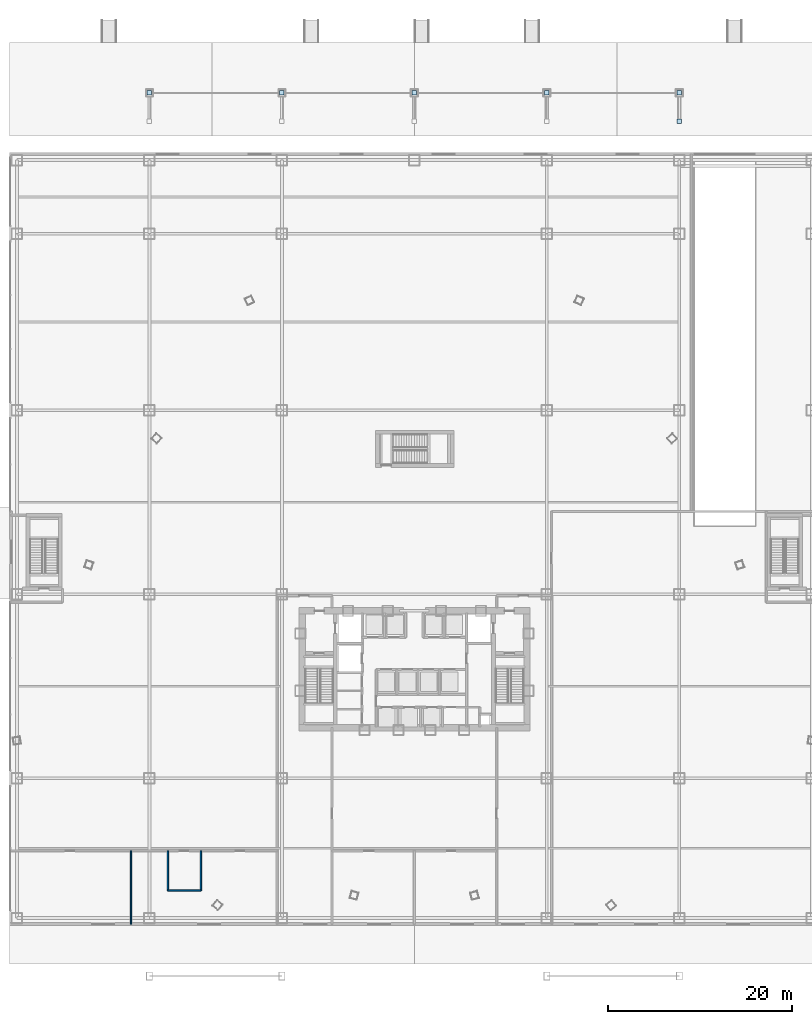
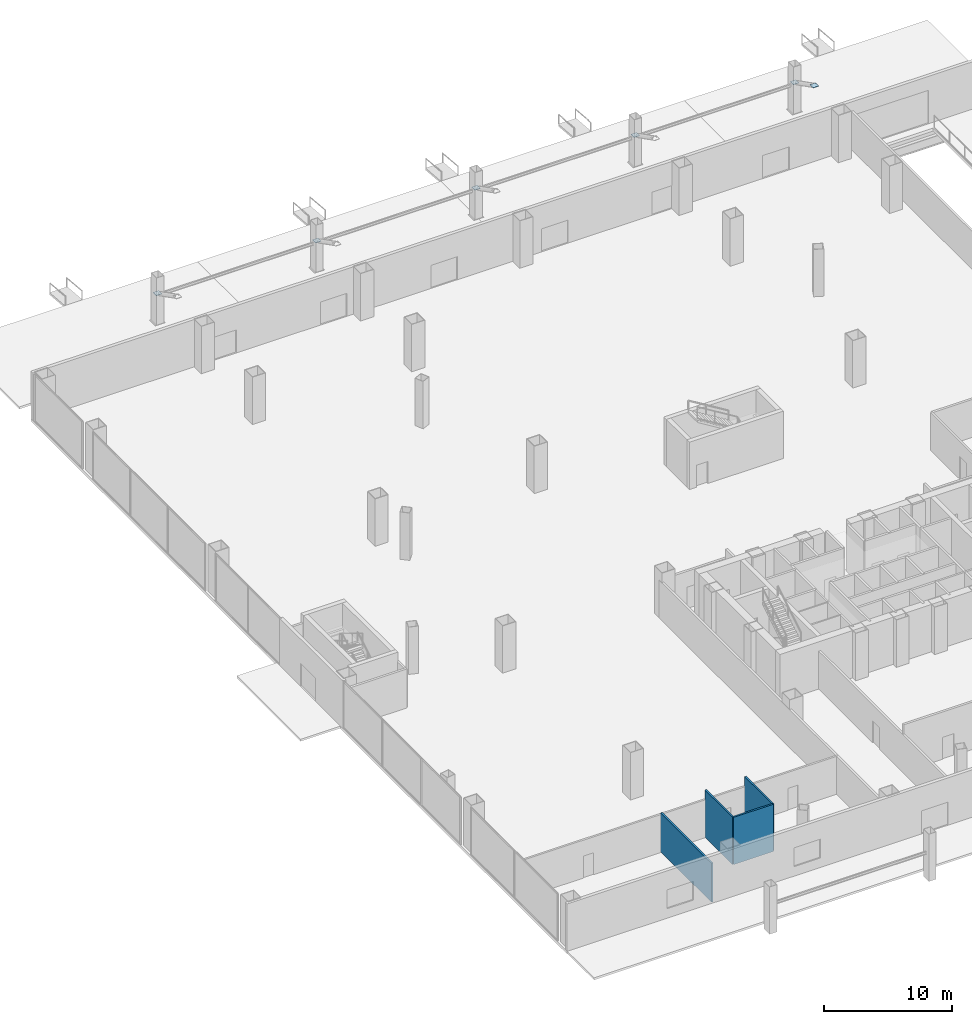
# One storey, part 47 of 58: 6 plates, 4 walls.
"""IFC4 building model written with IfcOpenShell, lengths in metres."""

from ifc_helpers import new_model, si_unit, direction, frame, frame_2d, origin, origin_2d, place, context, subcontext, project, spatial, rectangle, extrude, source, transform, mapped, material, layer, layer_set, type_object, element, save


model = new_model("IFC4")

# Units and contexts
model_context = context("Model", 3, precision=1e-05, world=origin(), true_north=direction((0.0, 1.0)))
body_context = subcontext(model_context, "Body", "Model", "MODEL_VIEW")
ifc_project = project(units=[si_unit("LENGTHUNIT", "METRE"), si_unit("AREAUNIT", "SQUARE_METRE"), si_unit("VOLUMEUNIT", "CUBIC_METRE"), si_unit("PLANEANGLEUNIT", "RADIAN"), si_unit("MASSUNIT", "GRAM", prefix="KILO"), si_unit("THERMODYNAMICTEMPERATUREUNIT", "KELVIN"), si_unit("POWERUNIT", "WATT")], contexts=[model_context])

# Site, building, storey
site_placement = place(None, origin())
site = spatial("IfcSite", under=ifc_project, at=site_placement, CompositionType="ELEMENT")
building_placement = place(site_placement, origin())
building = spatial("IfcBuilding", under=site, at=building_placement, Name="Yunzhuo Pagoda Commons", CompositionType="ELEMENT")
storey_placement = place(building_placement, origin())
storey = spatial("IfcBuildingStorey", under=building, at=storey_placement, Name="L01", CompositionType="ELEMENT", Elevation=0.0)

# Plates
ifc_material_1 = material(Name="Structural steel Q355B", Category="steel")
ifc_layer_1 = layer(ifc_material_1, 0.028076171875)
ifc_layer_set_1 = layer_set([ifc_layer_1], Name="Structural steel Q355B")
plate_type = type_object("IfcPlateType", Name="SP-ND1 Lattice Node Cap Plate 800x500x28", PredefinedType="USERDEFINED", material=ifc_layer_set_1)
shared_shape = source(origin(), body_context, "Body", "SweptSolid", [
    extrude(rectangle(XDim=0.5, YDim=0.5, at=origin_2d()), origin(), (0.0, 0.0, 1.0), 0.028076171875),
])
for number, where, z_axis, x_axis, name in (
    (1, (19.199951171875, 96.5, 2.68603515625), (0.0, 0.0, 1.0), (1.0, 0.0, 0.0), "Canopy strut pilaster gusset plate N1A"),
    (2, (33.60009765625, 96.5, 2.68603515625), (0.0, 0.0, 1.0), (1.0, 0.0, 0.0), "Canopy strut pilaster gusset plate N2A"),
    (3, (48.0, 96.5, 2.68603515625), (0.0, 0.0, 1.0), (1.0, 0.0, 0.0), "Canopy strut pilaster gusset plate N3A"),
    (4, (62.39990234375, 96.5, 2.68603515625), (0.0, 0.0, 1.0), (1.0, 0.0, 0.0), "Canopy strut pilaster gusset plate N4A"),
    (5, (76.800048828125, 96.5, 2.68603515625), (0.0, 0.0, 1.0), (1.0, 0.0, 0.0), "Canopy strut pilaster gusset plate N5A"),
    (6, (76.800048828125, 93.39990234375, 4.26611328125), (0.0, 0.0, 1.0), (1.0, 0.0, 0.0), "Canopy strut girder gusset plate N5B"),
):
    element("IfcPlate", number, at=place(storey_placement, frame(where, z_axis=z_axis, x_axis=x_axis)), inside=storey, type_object=plate_type, Name=name, ObjectType="STIFFENER_PLATE", PredefinedType="USERDEFINED", context=body_context, shape_type="MappedRepresentation", body=[
        mapped(shared_shape, transform((0.0, 0.0, 0.0), scale=1.0)),
    ])

# Walls
ifc_material_2 = material(Name="Gypsum plasterboard on acoustic stud")
ifc_layer_2 = layer(ifc_material_2, 0.159912109375)
ifc_layer_set_2 = layer_set([ifc_layer_2], Name="Gypsum plasterboard on acoustic stud")
wall_type = type_object("IfcWallType", Name="W-COR1 Tower Rated Corridor Wall 160", PredefinedType="PARTITIONING", material=ifc_layer_set_2)
wall_1_placement = place(storey_placement, frame((17.199951171875, 6.14990234375, 0.0), z_axis=(0.0, 0.0, 1.0), x_axis=(0.0, 1.0, 0.0)))
element("IfcWall", 7, at=wall_1_placement, inside=storey, type_object=wall_type, Name="L01 interior wall IW-L01-WCM", PredefinedType="PARTITIONING", context=body_context, shape_type="SweptSolid", body=[
    extrude(rectangle(XDim=7.9501953125, YDim=0.159912109375, at=frame_2d((3.97509765625, 0.0))), origin(), (0.0, 0.0, 1.0), 3.719970703125),
])
wall_2_placement = place(storey_placement, frame((21.199951171875, 9.800048828125, 0.0), z_axis=(0.0, 0.0, 1.0), x_axis=(0.0, 1.0, 0.0)))
element("IfcWall", 8, at=wall_2_placement, inside=storey, type_object=wall_type, Name="L01 interior wall IW-L01-AWCW", PredefinedType="PARTITIONING", context=body_context, shape_type="SweptSolid", body=[
    extrude(rectangle(XDim=4.300048828125, YDim=0.159912109375, at=frame_2d((2.14990234375, 0.0))), origin(), (0.0, 0.0, 1.0), 4.52001953125),
])
wall_3_placement = place(storey_placement, frame((21.199951171875, 9.800048828125, 0.0), z_axis=(0.0, 0.0, 1.0), x_axis=(1.0, 0.0, 0.0)))
element("IfcWall", 9, at=wall_3_placement, inside=storey, type_object=wall_type, Name="L01 interior wall IW-L01-AWCS", PredefinedType="PARTITIONING", context=body_context, shape_type="SweptSolid", body=[
    extrude(rectangle(XDim=3.60009765625, YDim=0.159912109375, at=frame_2d((1.800048828125, 0.0))), origin(), (0.0, 0.0, 1.0), 4.52001953125),
])
wall_4_placement = place(storey_placement, frame((24.800048828125, 9.800048828125, 0.0), z_axis=(0.0, 0.0, 1.0), x_axis=(0.0, 1.0, 0.0)))
element("IfcWall", 10, at=wall_4_placement, inside=storey, type_object=wall_type, Name="L01 interior wall IW-L01-AWCE", PredefinedType="PARTITIONING", context=body_context, shape_type="SweptSolid", body=[
    extrude(rectangle(XDim=4.300048828125, YDim=0.159912109375, at=frame_2d((2.14990234375, 0.0))), origin(), (0.0, 0.0, 1.0), 4.52001953125),
])

save(model, "model.ifc")
